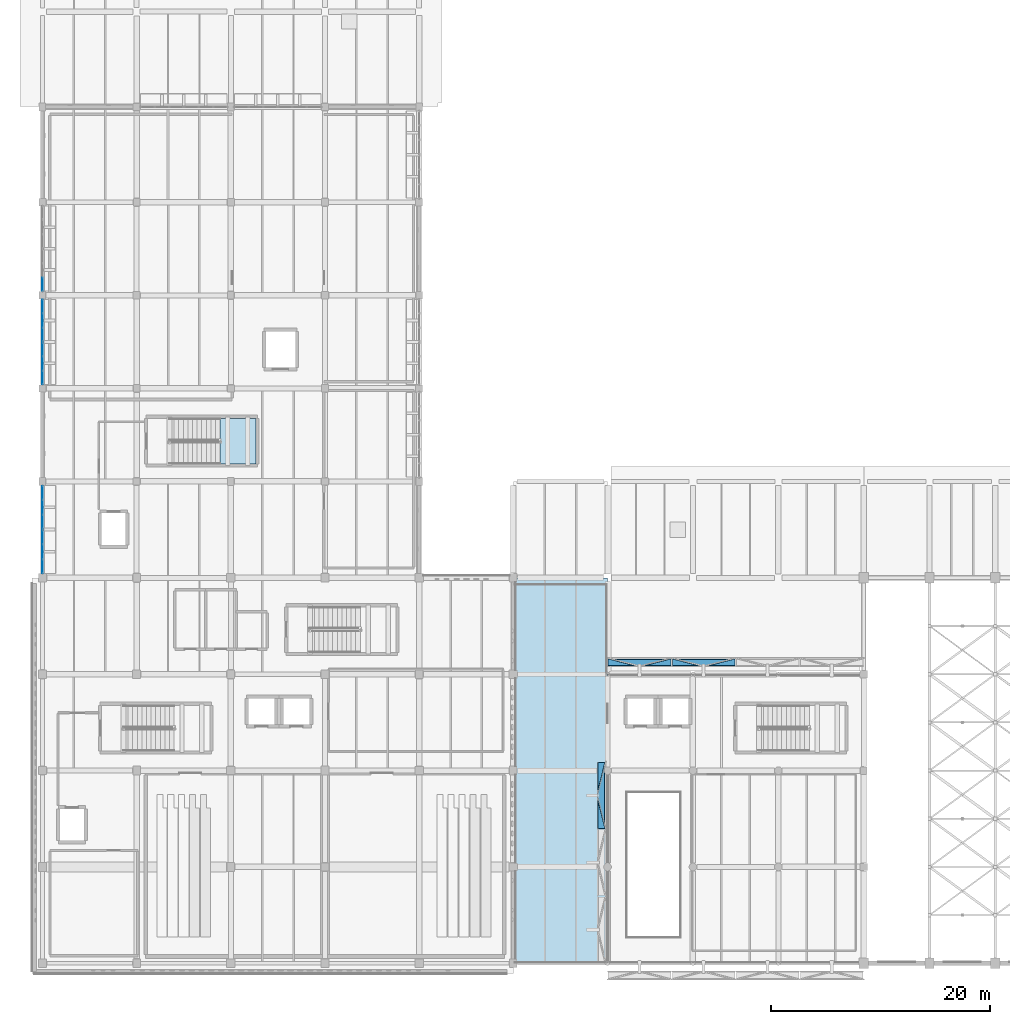
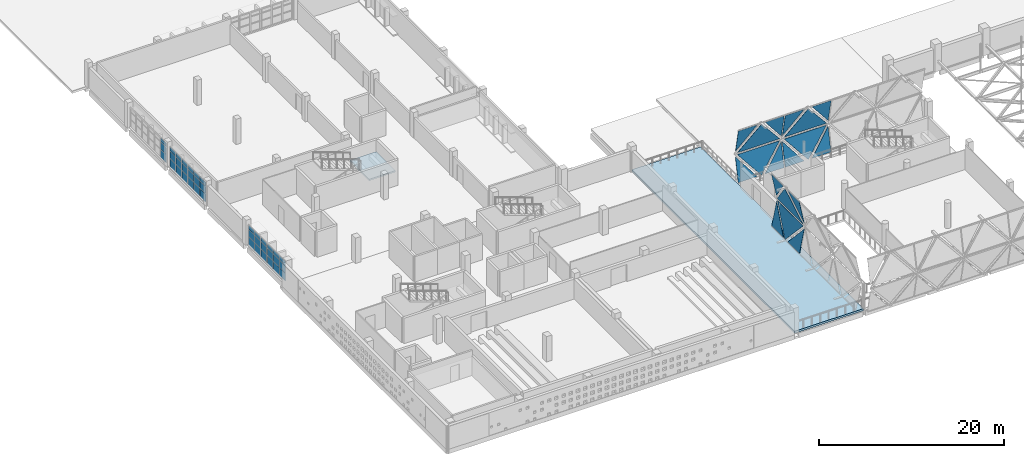
# One storey, part 67 of 93: 57 plates, 2 slabs, 9 elements without a shape of their own.
"""IFC4 building model written with IfcOpenShell, lengths in metres."""

from ifc_helpers import new_model, si_unit, direction, frame, origin, origin_2d, place, context, subcontext, project, spatial, polyline, rectangle, outline, extrude, material, layer, layer_set, type_object, element, aggregate, save


model = new_model("IFC4")

# Units and contexts
model_context = context("Model", 3, precision=1e-05, world=origin(), true_north=direction((0.0, 1.0)))
body_context = subcontext(model_context, "Body", "Model", "MODEL_VIEW")
ifc_project = project(units=[si_unit("LENGTHUNIT", "METRE"), si_unit("AREAUNIT", "SQUARE_METRE"), si_unit("VOLUMEUNIT", "CUBIC_METRE"), si_unit("PLANEANGLEUNIT", "RADIAN"), si_unit("MASSUNIT", "GRAM", prefix="KILO")], contexts=[model_context])

# Site, building, storey
site_placement = place(None, origin())
site = spatial("IfcSite", under=ifc_project, at=site_placement, CompositionType="ELEMENT")
building_placement = place(site_placement, origin())
building = spatial("IfcBuilding", under=site, at=building_placement, Name="Varnakota Cinema and Media Centre", CompositionType="ELEMENT")
storey_placement = place(building_placement, frame((0.0, 0.0, 12.0)))
storey = spatial("IfcBuildingStorey", under=building, at=storey_placement, Name="L03", CompositionType="ELEMENT", Elevation=12.0)

# Curtain wall, plates
ifc_material_1 = material(Name="Anodised golden-bronze aluminium AW-6063", Category="aluminium")
curtain_wall_type_1 = type_object("IfcCurtainWallType", Name="CW-DMD-585x705", PredefinedType="USERDEFINED", material=ifc_material_1)
curtain_wall_1_placement = place(storey_placement, origin())
curtain_wall_1 = element("IfcCurtainWall", 1, at=curtain_wall_1_placement, inside=storey, type_object=curtain_wall_type_1, Name="L03 folded diamond foyer curtain wall CW-V6DMD-N-T2-D01", ObjectType="DIAMOND FOLDED CURTAIN WALL", PredefinedType="USERDEFINED")
ifc_material_2 = material(Name="Laminated solar-control double glazing", Category="glass")
ifc_layer_1 = layer(ifc_material_2, 0.028076171875)
ifc_layer_set_1 = layer_set([ifc_layer_1], Name="Laminated solar-control double glazing")
plate_type_1 = type_object("IfcPlateType", Name="CWP-DGU-28", PredefinedType="CURTAIN_PANEL", material=ifc_layer_set_1)
plate_1_placement = place(storey_placement, frame((51.8798828125, 27.76513671875, 3.385009765625), z_axis=(0.0, -0.979928851946, 0.199347548575), x_axis=(0.624083687907, -0.155761703166, -0.765674762752)))
plate_1 = element("IfcPlate", 2, at=plate_1_placement, type_object=plate_type_1, Name="CW-V6DMD-N-T2-D01 lower diamond fitted glass facet", PredefinedType="CURTAIN_PANEL", context=body_context, shape_type="SweptSolid", body=[
    extrude(outline(polyline([(0.0, 0.0), (4.238244938145499, -4.440892098500626e-16), (3.3014270872958185, 4.133411722783652), (0.0, 0.0)])), origin(), (0.0, 0.0, -1.0), 0.02392578125),
])
plate_2_placement = place(storey_placement, frame((51.8798828125, 27.76513671875, 3.6650390625), z_axis=(0.0, 0.97992592191, 0.199361951158), x_axis=(1.0, 0.0, 0.0)))
plate_2 = element("IfcPlate", 3, at=plate_2_placement, type_object=plate_type_1, Name="CW-V6DMD-N-T2-D01 upper diamond fitted glass facet", PredefinedType="CURTAIN_PANEL", context=body_context, shape_type="SweptSolid", body=[
    extrude(outline(polyline([(0.0, 0.0), (5.2900390625, 0.0), (2.64501953125, -3.311345250007904), (0.0, 0.0)])), origin(), (0.0, 0.0, -1.0), 0.02392578125),
])

curtain_wall_2_placement = place(storey_placement, origin())
curtain_wall_2 = element("IfcCurtainWall", 4, at=curtain_wall_2_placement, inside=storey, type_object=curtain_wall_type_1, Name="L03 folded diamond foyer curtain wall CW-V6DMD-N-T2-D02", ObjectType="DIAMOND FOLDED CURTAIN WALL", PredefinedType="USERDEFINED")
plate_3_placement = place(storey_placement, frame((57.72998046875, 27.76513671875, 3.385009765625), z_axis=(0.0, -0.979928851946, 0.199347548575), x_axis=(0.624083687907, -0.155761703166, -0.765674762752)))
plate_3 = element("IfcPlate", 5, at=plate_3_placement, type_object=plate_type_1, Name="CW-V6DMD-N-T2-D02 lower diamond fitted glass facet", PredefinedType="CURTAIN_PANEL", context=body_context, shape_type="SweptSolid", body=[
    extrude(outline(polyline([(0.0, 0.0), (4.238244938145499, -4.440892098500626e-16), (3.3014270872958185, 4.133411722783652), (0.0, 0.0)])), origin(), (0.0, 0.0, -1.0), 0.02392578125),
])
plate_4_placement = place(storey_placement, frame((57.72998046875, 27.76513671875, 3.6650390625), z_axis=(0.0, 0.97992592191, 0.199361951158), x_axis=(1.0, 0.0, 0.0)))
plate_4 = element("IfcPlate", 6, at=plate_4_placement, type_object=plate_type_1, Name="CW-V6DMD-N-T2-D02 upper diamond fitted glass facet", PredefinedType="CURTAIN_PANEL", context=body_context, shape_type="SweptSolid", body=[
    extrude(outline(polyline([(0.0, 0.0), (5.2900390625, 0.0), (2.64501953125, -3.311345250007904), (0.0, 0.0)])), origin(), (0.0, 0.0, -1.0), 0.02392578125),
])

ifc_material_3 = material(Name="Anodised golden-bronze aluminium AW-6063", Category="aluminium")
curtain_wall_type_2 = type_object("IfcCurtainWallType", Name="CW-DMD-613x705", PredefinedType="USERDEFINED", material=ifc_material_3)
curtain_wall_3_placement = place(storey_placement, origin())
curtain_wall_3 = element("IfcCurtainWall", 7, at=curtain_wall_3_placement, inside=storey, type_object=curtain_wall_type_2, Name="L03 folded diamond foyer curtain wall CW-V6DMD-W-T2-D01", ObjectType="DIAMOND FOLDED CURTAIN WALL", PredefinedType="USERDEFINED")
plate_5_placement = place(storey_placement, frame((51.315185546875, 18.1201171875, 3.385009765625), z_axis=(-0.979928851946, 0.0, 0.199347548575), x_axis=(-0.152524862562, -0.643887317363, -0.749763488601)))
plate_5 = element("IfcPlate", 8, at=plate_5_placement, type_object=plate_type_1, Name="CW-V6DMD-W-T2-D01 lower diamond fitted glass facet", PredefinedType="CURTAIN_PANEL", context=body_context, shape_type="SweptSolid", body=[
    extrude(outline(polyline([(0.0, 0.0), (4.328187804334512, 0.0), (3.5886971601742164, 4.264387710135396), (0.0, 0.0)])), origin(), (0.0, 0.0, -1.0), 0.02392578125),
])
plate_6_placement = place(storey_placement, frame((51.315185546875, 18.1201171875, 3.6650390625), z_axis=(0.97992592191, 0.0, 0.199361951158), x_axis=(0.0, -1.0, 0.0)))
plate_6 = element("IfcPlate", 9, at=plate_6_placement, type_object=plate_type_1, Name="CW-V6DMD-W-T2-D01 upper diamond fitted glass facet", PredefinedType="CURTAIN_PANEL", context=body_context, shape_type="SweptSolid", body=[
    extrude(outline(polyline([(0.0, 0.0), (5.573486328125, 0.0), (2.786865234375, -3.311345250007904), (0.0, 0.0)])), origin(), (0.0, 0.0, -1.0), 0.02392578125),
])

ifc_material_4 = material(Name="Thermally broken anodised aluminium AW-6063", Category="aluminium")
curtain_wall_type_3 = type_object("IfcCurtainWallType", Name="CW-STD-389x274", PredefinedType="USERDEFINED", material=ifc_material_4)
curtain_wall_4_placement = place(storey_placement, origin())
curtain_wall_4 = element("IfcCurtainWall", 10, at=curtain_wall_4_placement, inside=storey, type_object=curtain_wall_type_3, Name="L03 curtain wall CW-L03-V5-W-02-2", ObjectType="UNITISED CURTAIN WALL", PredefinedType="USERDEFINED")
plate_7_placement = place(storey_placement, frame((0.0, 62.014892578125, 0.06494140625), z_axis=(0.0, 0.0, 1.0), x_axis=(0.0, -1.0, 0.0)))
plate_7 = element("IfcPlate", 11, at=plate_7_placement, type_object=plate_type_1, Name="CW46 panel 3.1", PredefinedType="CURTAIN_PANEL", context=body_context, shape_type="SweptSolid", body=[
    extrude(rectangle(XDim=1.199951171875, YDim=0.028076171875, at=origin_2d()), origin(), (0.0, 0.0, 1.0), 1.05126953125),
])
plate_8_placement = place(storey_placement, frame((0.0, 62.014892578125, 1.18115234375), z_axis=(0.0, 0.0, 1.0), x_axis=(0.0, -1.0, 0.0)))
plate_8 = element("IfcPlate", 12, at=plate_8_placement, type_object=plate_type_1, Name="CW46 panel 3.2", PredefinedType="CURTAIN_PANEL", context=body_context, shape_type="SweptSolid", body=[
    extrude(rectangle(XDim=1.199951171875, YDim=0.028076171875, at=origin_2d()), origin(), (0.0, 0.0, 1.0), 0.919677734375),
])
plate_9_placement = place(storey_placement, frame((0.0, 62.014892578125, 2.166015625), z_axis=(0.0, 0.0, 1.0), x_axis=(0.0, -1.0, 0.0)))
plate_9 = element("IfcPlate", 13, at=plate_9_placement, type_object=plate_type_1, Name="CW46 panel 3.3", PredefinedType="CURTAIN_PANEL", context=body_context, shape_type="SweptSolid", body=[
    extrude(rectangle(XDim=1.199951171875, YDim=0.028076171875, at=origin_2d()), origin(), (0.0, 0.0, 1.0), 0.504150390625),
])
aggregate(curtain_wall_4, [plate_7, plate_8, plate_9])

curtain_wall_5_placement = place(storey_placement, origin())
curtain_wall_5 = element("IfcCurtainWall", 14, at=curtain_wall_5_placement, inside=storey, type_object=curtain_wall_type_3, Name="L03 curtain wall CW-L03-V5-W-03-1", ObjectType="UNITISED CURTAIN WALL", PredefinedType="USERDEFINED")
plate_10_placement = place(storey_placement, frame((0.0, 59.985107421875, 0.06494140625), z_axis=(0.0, 0.0, 1.0), x_axis=(0.0, -1.0, 0.0)))
plate_10 = element("IfcPlate", 15, at=plate_10_placement, type_object=plate_type_1, Name="CW46 panel 1.1", PredefinedType="CURTAIN_PANEL", context=body_context, shape_type="SweptSolid", body=[
    extrude(rectangle(XDim=1.199951171875, YDim=0.028076171875, at=origin_2d()), origin(), (0.0, 0.0, 1.0), 1.05126953125),
])
plate_11_placement = place(storey_placement, frame((0.0, 59.985107421875, 1.18115234375), z_axis=(0.0, 0.0, 1.0), x_axis=(0.0, -1.0, 0.0)))
plate_11 = element("IfcPlate", 16, at=plate_11_placement, type_object=plate_type_1, Name="CW46 panel 1.2", PredefinedType="CURTAIN_PANEL", context=body_context, shape_type="SweptSolid", body=[
    extrude(rectangle(XDim=1.199951171875, YDim=0.028076171875, at=origin_2d()), origin(), (0.0, 0.0, 1.0), 0.919677734375),
])
plate_12_placement = place(storey_placement, frame((0.0, 59.985107421875, 2.166015625), z_axis=(0.0, 0.0, 1.0), x_axis=(0.0, -1.0, 0.0)))
plate_12 = element("IfcPlate", 17, at=plate_12_placement, type_object=plate_type_1, Name="CW46 panel 1.3", PredefinedType="CURTAIN_PANEL", context=body_context, shape_type="SweptSolid", body=[
    extrude(rectangle(XDim=1.199951171875, YDim=0.028076171875, at=origin_2d()), origin(), (0.0, 0.0, 1.0), 0.504150390625),
])
plate_13_placement = place(storey_placement, frame((0.0, 58.703857421875, 0.06494140625), z_axis=(0.0, 0.0, 1.0), x_axis=(0.0, -1.0, 0.0)))
plate_13 = element("IfcPlate", 18, at=plate_13_placement, type_object=plate_type_1, Name="CW46 panel 2.1", PredefinedType="CURTAIN_PANEL", context=body_context, shape_type="SweptSolid", body=[
    extrude(rectangle(XDim=1.232421875, YDim=0.028076171875, at=origin_2d()), origin(), (0.0, 0.0, 1.0), 1.05126953125),
])
plate_14_placement = place(storey_placement, frame((0.0, 58.703857421875, 1.18115234375), z_axis=(0.0, 0.0, 1.0), x_axis=(0.0, -1.0, 0.0)))
plate_14 = element("IfcPlate", 19, at=plate_14_placement, type_object=plate_type_1, Name="CW46 panel 2.2", PredefinedType="CURTAIN_PANEL", context=body_context, shape_type="SweptSolid", body=[
    extrude(rectangle(XDim=1.232421875, YDim=0.028076171875, at=origin_2d()), origin(), (0.0, 0.0, 1.0), 0.919677734375),
])
plate_15_placement = place(storey_placement, frame((0.0, 58.703857421875, 2.166015625), z_axis=(0.0, 0.0, 1.0), x_axis=(0.0, -1.0, 0.0)))
plate_15 = element("IfcPlate", 20, at=plate_15_placement, type_object=plate_type_1, Name="CW46 panel 2.3", PredefinedType="CURTAIN_PANEL", context=body_context, shape_type="SweptSolid", body=[
    extrude(rectangle(XDim=1.232421875, YDim=0.028076171875, at=origin_2d()), origin(), (0.0, 0.0, 1.0), 0.504150390625),
])
plate_16_placement = place(storey_placement, frame((0.0, 57.422607421875, 0.06494140625), z_axis=(0.0, 0.0, 1.0), x_axis=(0.0, -1.0, 0.0)))
plate_16 = element("IfcPlate", 21, at=plate_16_placement, type_object=plate_type_1, Name="CW46 panel 3.1", PredefinedType="CURTAIN_PANEL", context=body_context, shape_type="SweptSolid", body=[
    extrude(rectangle(XDim=1.199951171875, YDim=0.028076171875, at=origin_2d()), origin(), (0.0, 0.0, 1.0), 1.05126953125),
])
plate_17_placement = place(storey_placement, frame((0.0, 57.422607421875, 1.18115234375), z_axis=(0.0, 0.0, 1.0), x_axis=(0.0, -1.0, 0.0)))
plate_17 = element("IfcPlate", 22, at=plate_17_placement, type_object=plate_type_1, Name="CW46 panel 3.2", PredefinedType="CURTAIN_PANEL", context=body_context, shape_type="SweptSolid", body=[
    extrude(rectangle(XDim=1.199951171875, YDim=0.028076171875, at=origin_2d()), origin(), (0.0, 0.0, 1.0), 0.919677734375),
])
plate_18_placement = place(storey_placement, frame((0.0, 57.422607421875, 2.166015625), z_axis=(0.0, 0.0, 1.0), x_axis=(0.0, -1.0, 0.0)))
plate_18 = element("IfcPlate", 23, at=plate_18_placement, type_object=plate_type_1, Name="CW46 panel 3.3", PredefinedType="CURTAIN_PANEL", context=body_context, shape_type="SweptSolid", body=[
    extrude(rectangle(XDim=1.199951171875, YDim=0.028076171875, at=origin_2d()), origin(), (0.0, 0.0, 1.0), 0.504150390625),
])
aggregate(curtain_wall_5, [plate_10, plate_11, plate_12, plate_13, plate_14, plate_15, plate_16, plate_17, plate_18])

curtain_wall_6_placement = place(storey_placement, origin())
curtain_wall_6 = element("IfcCurtainWall", 24, at=curtain_wall_6_placement, inside=storey, type_object=curtain_wall_type_3, Name="L03 curtain wall CW-L03-V5-W-03-2", ObjectType="UNITISED CURTAIN WALL", PredefinedType="USERDEFINED")
plate_19_placement = place(storey_placement, frame((0.0, 56.052490234375, 0.06494140625), z_axis=(0.0, 0.0, 1.0), x_axis=(0.0, -1.0, 0.0)))
plate_19 = element("IfcPlate", 25, at=plate_19_placement, type_object=plate_type_1, Name="CW46 panel 1.1", PredefinedType="CURTAIN_PANEL", context=body_context, shape_type="SweptSolid", body=[
    extrude(rectangle(XDim=1.199951171875, YDim=0.028076171875, at=origin_2d()), origin(), (0.0, 0.0, 1.0), 1.05126953125),
])
plate_20_placement = place(storey_placement, frame((0.0, 56.052490234375, 1.18115234375), z_axis=(0.0, 0.0, 1.0), x_axis=(0.0, -1.0, 0.0)))
plate_20 = element("IfcPlate", 26, at=plate_20_placement, type_object=plate_type_1, Name="CW46 panel 1.2", PredefinedType="CURTAIN_PANEL", context=body_context, shape_type="SweptSolid", body=[
    extrude(rectangle(XDim=1.199951171875, YDim=0.028076171875, at=origin_2d()), origin(), (0.0, 0.0, 1.0), 0.919677734375),
])
plate_21_placement = place(storey_placement, frame((0.0, 56.052490234375, 2.166015625), z_axis=(0.0, 0.0, 1.0), x_axis=(0.0, -1.0, 0.0)))
plate_21 = element("IfcPlate", 27, at=plate_21_placement, type_object=plate_type_1, Name="CW46 panel 1.3", PredefinedType="CURTAIN_PANEL", context=body_context, shape_type="SweptSolid", body=[
    extrude(rectangle(XDim=1.199951171875, YDim=0.028076171875, at=origin_2d()), origin(), (0.0, 0.0, 1.0), 0.504150390625),
])
plate_22_placement = place(storey_placement, frame((0.0, 54.771240234375, 0.06494140625), z_axis=(0.0, 0.0, 1.0), x_axis=(0.0, -1.0, 0.0)))
plate_22 = element("IfcPlate", 28, at=plate_22_placement, type_object=plate_type_1, Name="CW46 panel 2.1", PredefinedType="CURTAIN_PANEL", context=body_context, shape_type="SweptSolid", body=[
    extrude(rectangle(XDim=1.232421875, YDim=0.028076171875, at=origin_2d()), origin(), (0.0, 0.0, 1.0), 1.05126953125),
])
plate_23_placement = place(storey_placement, frame((0.0, 54.771240234375, 1.18115234375), z_axis=(0.0, 0.0, 1.0), x_axis=(0.0, -1.0, 0.0)))
plate_23 = element("IfcPlate", 29, at=plate_23_placement, type_object=plate_type_1, Name="CW46 panel 2.2", PredefinedType="CURTAIN_PANEL", context=body_context, shape_type="SweptSolid", body=[
    extrude(rectangle(XDim=1.232421875, YDim=0.028076171875, at=origin_2d()), origin(), (0.0, 0.0, 1.0), 0.919677734375),
])
plate_24_placement = place(storey_placement, frame((0.0, 54.771240234375, 2.166015625), z_axis=(0.0, 0.0, 1.0), x_axis=(0.0, -1.0, 0.0)))
plate_24 = element("IfcPlate", 30, at=plate_24_placement, type_object=plate_type_1, Name="CW46 panel 2.3", PredefinedType="CURTAIN_PANEL", context=body_context, shape_type="SweptSolid", body=[
    extrude(rectangle(XDim=1.232421875, YDim=0.028076171875, at=origin_2d()), origin(), (0.0, 0.0, 1.0), 0.504150390625),
])
plate_25_placement = place(storey_placement, frame((0.0, 53.489990234375, 0.06494140625), z_axis=(0.0, 0.0, 1.0), x_axis=(0.0, -1.0, 0.0)))
plate_25 = element("IfcPlate", 31, at=plate_25_placement, type_object=plate_type_1, Name="CW46 panel 3.1", PredefinedType="CURTAIN_PANEL", context=body_context, shape_type="SweptSolid", body=[
    extrude(rectangle(XDim=1.199951171875, YDim=0.028076171875, at=origin_2d()), origin(), (0.0, 0.0, 1.0), 1.05126953125),
])
plate_26_placement = place(storey_placement, frame((0.0, 53.489990234375, 1.18115234375), z_axis=(0.0, 0.0, 1.0), x_axis=(0.0, -1.0, 0.0)))
plate_26 = element("IfcPlate", 32, at=plate_26_placement, type_object=plate_type_1, Name="CW46 panel 3.2", PredefinedType="CURTAIN_PANEL", context=body_context, shape_type="SweptSolid", body=[
    extrude(rectangle(XDim=1.199951171875, YDim=0.028076171875, at=origin_2d()), origin(), (0.0, 0.0, 1.0), 0.919677734375),
])
plate_27_placement = place(storey_placement, frame((0.0, 53.489990234375, 2.166015625), z_axis=(0.0, 0.0, 1.0), x_axis=(0.0, -1.0, 0.0)))
plate_27 = element("IfcPlate", 33, at=plate_27_placement, type_object=plate_type_1, Name="CW46 panel 3.3", PredefinedType="CURTAIN_PANEL", context=body_context, shape_type="SweptSolid", body=[
    extrude(rectangle(XDim=1.199951171875, YDim=0.028076171875, at=origin_2d()), origin(), (0.0, 0.0, 1.0), 0.504150390625),
])
aggregate(curtain_wall_6, [plate_19, plate_20, plate_21, plate_22, plate_23, plate_24, plate_25, plate_26, plate_27])

ifc_material_5 = material(Name="Thermally broken anodised aluminium AW-6063", Category="aluminium")
curtain_wall_type_4 = type_object("IfcCurtainWallType", Name="CW-STD-402x274", PredefinedType="USERDEFINED", material=ifc_material_5)
curtain_wall_7_placement = place(storey_placement, origin())
curtain_wall_7 = element("IfcCurtainWall", 34, at=curtain_wall_7_placement, inside=storey, type_object=curtain_wall_type_4, Name="L03 curtain wall CW-L03-V5-W-05-1", ObjectType="UNITISED CURTAIN WALL", PredefinedType="USERDEFINED")
plate_28_placement = place(storey_placement, frame((0.0, 42.964111328125, 0.06494140625), z_axis=(0.0, 0.0, 1.0), x_axis=(0.0, -1.0, 0.0)))
plate_28 = element("IfcPlate", 35, at=plate_28_placement, type_object=plate_type_1, Name="CW47 panel 1.1", PredefinedType="CURTAIN_PANEL", context=body_context, shape_type="SweptSolid", body=[
    extrude(rectangle(XDim=1.24169921875, YDim=0.028076171875, at=origin_2d()), origin(), (0.0, 0.0, 1.0), 1.05126953125),
])
plate_29_placement = place(storey_placement, frame((0.0, 42.964111328125, 1.18115234375), z_axis=(0.0, 0.0, 1.0), x_axis=(0.0, -1.0, 0.0)))
plate_29 = element("IfcPlate", 36, at=plate_29_placement, type_object=plate_type_1, Name="CW47 panel 1.2", PredefinedType="CURTAIN_PANEL", context=body_context, shape_type="SweptSolid", body=[
    extrude(rectangle(XDim=1.24169921875, YDim=0.028076171875, at=origin_2d()), origin(), (0.0, 0.0, 1.0), 0.919677734375),
])
plate_30_placement = place(storey_placement, frame((0.0, 42.964111328125, 2.166015625), z_axis=(0.0, 0.0, 1.0), x_axis=(0.0, -1.0, 0.0)))
plate_30 = element("IfcPlate", 37, at=plate_30_placement, type_object=plate_type_1, Name="CW47 panel 1.3", PredefinedType="CURTAIN_PANEL", context=body_context, shape_type="SweptSolid", body=[
    extrude(rectangle(XDim=1.24169921875, YDim=0.028076171875, at=origin_2d()), origin(), (0.0, 0.0, 1.0), 0.504150390625),
])
plate_31_placement = place(storey_placement, frame((0.0, 41.641357421875, 0.06494140625), z_axis=(0.0, 0.0, 1.0), x_axis=(0.0, -1.0, 0.0)))
plate_31 = element("IfcPlate", 38, at=plate_31_placement, type_object=plate_type_1, Name="CW47 panel 2.1", PredefinedType="CURTAIN_PANEL", context=body_context, shape_type="SweptSolid", body=[
    extrude(rectangle(XDim=1.274169921875, YDim=0.028076171875, at=origin_2d()), origin(), (0.0, 0.0, 1.0), 1.05126953125),
])
plate_32_placement = place(storey_placement, frame((0.0, 41.641357421875, 1.18115234375), z_axis=(0.0, 0.0, 1.0), x_axis=(0.0, -1.0, 0.0)))
plate_32 = element("IfcPlate", 39, at=plate_32_placement, type_object=plate_type_1, Name="CW47 panel 2.2", PredefinedType="CURTAIN_PANEL", context=body_context, shape_type="SweptSolid", body=[
    extrude(rectangle(XDim=1.274169921875, YDim=0.028076171875, at=origin_2d()), origin(), (0.0, 0.0, 1.0), 0.919677734375),
])
plate_33_placement = place(storey_placement, frame((0.0, 41.641357421875, 2.166015625), z_axis=(0.0, 0.0, 1.0), x_axis=(0.0, -1.0, 0.0)))
plate_33 = element("IfcPlate", 40, at=plate_33_placement, type_object=plate_type_1, Name="CW47 panel 2.3", PredefinedType="CURTAIN_PANEL", context=body_context, shape_type="SweptSolid", body=[
    extrude(rectangle(XDim=1.274169921875, YDim=0.028076171875, at=origin_2d()), origin(), (0.0, 0.0, 1.0), 0.504150390625),
])
plate_34_placement = place(storey_placement, frame((0.0, 40.318359375, 0.06494140625), z_axis=(0.0, 0.0, 1.0), x_axis=(0.0, -1.0, 0.0)))
plate_34 = element("IfcPlate", 41, at=plate_34_placement, type_object=plate_type_1, Name="CW47 panel 3.1", PredefinedType="CURTAIN_PANEL", context=body_context, shape_type="SweptSolid", body=[
    extrude(rectangle(XDim=1.24169921875, YDim=0.028076171875, at=origin_2d()), origin(), (0.0, 0.0, 1.0), 1.05126953125),
])
plate_35_placement = place(storey_placement, frame((0.0, 40.318359375, 1.18115234375), z_axis=(0.0, 0.0, 1.0), x_axis=(0.0, -1.0, 0.0)))
plate_35 = element("IfcPlate", 42, at=plate_35_placement, type_object=plate_type_1, Name="CW47 panel 3.2", PredefinedType="CURTAIN_PANEL", context=body_context, shape_type="SweptSolid", body=[
    extrude(rectangle(XDim=1.24169921875, YDim=0.028076171875, at=origin_2d()), origin(), (0.0, 0.0, 1.0), 0.919677734375),
])
plate_36_placement = place(storey_placement, frame((0.0, 40.318359375, 2.166015625), z_axis=(0.0, 0.0, 1.0), x_axis=(0.0, -1.0, 0.0)))
plate_36 = element("IfcPlate", 43, at=plate_36_placement, type_object=plate_type_1, Name="CW47 panel 3.3", PredefinedType="CURTAIN_PANEL", context=body_context, shape_type="SweptSolid", body=[
    extrude(rectangle(XDim=1.24169921875, YDim=0.028076171875, at=origin_2d()), origin(), (0.0, 0.0, 1.0), 0.504150390625),
])
aggregate(curtain_wall_7, [plate_28, plate_29, plate_30, plate_31, plate_32, plate_33, plate_34, plate_35, plate_36])

curtain_wall_8_placement = place(storey_placement, origin())
curtain_wall_8 = element("IfcCurtainWall", 44, at=curtain_wall_8_placement, inside=storey, type_object=curtain_wall_type_4, Name="L03 curtain wall CW-L03-V5-W-05-2", ObjectType="UNITISED CURTAIN WALL", PredefinedType="USERDEFINED")
plate_37_placement = place(storey_placement, frame((0.0, 38.90673828125, 0.06494140625), z_axis=(0.0, 0.0, 1.0), x_axis=(0.0, -1.0, 0.0)))
plate_37 = element("IfcPlate", 45, at=plate_37_placement, type_object=plate_type_1, Name="CW47 panel 1.1", PredefinedType="CURTAIN_PANEL", context=body_context, shape_type="SweptSolid", body=[
    extrude(rectangle(XDim=1.24169921875, YDim=0.028076171875, at=origin_2d()), origin(), (0.0, 0.0, 1.0), 1.05126953125),
])
plate_38_placement = place(storey_placement, frame((0.0, 38.90673828125, 1.18115234375), z_axis=(0.0, 0.0, 1.0), x_axis=(0.0, -1.0, 0.0)))
plate_38 = element("IfcPlate", 46, at=plate_38_placement, type_object=plate_type_1, Name="CW47 panel 1.2", PredefinedType="CURTAIN_PANEL", context=body_context, shape_type="SweptSolid", body=[
    extrude(rectangle(XDim=1.24169921875, YDim=0.028076171875, at=origin_2d()), origin(), (0.0, 0.0, 1.0), 0.919677734375),
])
plate_39_placement = place(storey_placement, frame((0.0, 38.90673828125, 2.166015625), z_axis=(0.0, 0.0, 1.0), x_axis=(0.0, -1.0, 0.0)))
plate_39 = element("IfcPlate", 47, at=plate_39_placement, type_object=plate_type_1, Name="CW47 panel 1.3", PredefinedType="CURTAIN_PANEL", context=body_context, shape_type="SweptSolid", body=[
    extrude(rectangle(XDim=1.24169921875, YDim=0.028076171875, at=origin_2d()), origin(), (0.0, 0.0, 1.0), 0.504150390625),
])
plate_40_placement = place(storey_placement, frame((0.0, 37.583740234375, 0.06494140625), z_axis=(0.0, 0.0, 1.0), x_axis=(0.0, -1.0, 0.0)))
plate_40 = element("IfcPlate", 48, at=plate_40_placement, type_object=plate_type_1, Name="CW47 panel 2.1", PredefinedType="CURTAIN_PANEL", context=body_context, shape_type="SweptSolid", body=[
    extrude(rectangle(XDim=1.274169921875, YDim=0.028076171875, at=origin_2d()), origin(), (0.0, 0.0, 1.0), 1.05126953125),
])
plate_41_placement = place(storey_placement, frame((0.0, 37.583740234375, 1.18115234375), z_axis=(0.0, 0.0, 1.0), x_axis=(0.0, -1.0, 0.0)))
plate_41 = element("IfcPlate", 49, at=plate_41_placement, type_object=plate_type_1, Name="CW47 panel 2.2", PredefinedType="CURTAIN_PANEL", context=body_context, shape_type="SweptSolid", body=[
    extrude(rectangle(XDim=1.274169921875, YDim=0.028076171875, at=origin_2d()), origin(), (0.0, 0.0, 1.0), 0.919677734375),
])
plate_42_placement = place(storey_placement, frame((0.0, 37.583740234375, 2.166015625), z_axis=(0.0, 0.0, 1.0), x_axis=(0.0, -1.0, 0.0)))
plate_42 = element("IfcPlate", 50, at=plate_42_placement, type_object=plate_type_1, Name="CW47 panel 2.3", PredefinedType="CURTAIN_PANEL", context=body_context, shape_type="SweptSolid", body=[
    extrude(rectangle(XDim=1.274169921875, YDim=0.028076171875, at=origin_2d()), origin(), (0.0, 0.0, 1.0), 0.504150390625),
])
plate_43_placement = place(storey_placement, frame((0.0, 36.2607421875, 0.06494140625), z_axis=(0.0, 0.0, 1.0), x_axis=(0.0, -1.0, 0.0)))
plate_43 = element("IfcPlate", 51, at=plate_43_placement, type_object=plate_type_1, Name="CW47 panel 3.1", PredefinedType="CURTAIN_PANEL", context=body_context, shape_type="SweptSolid", body=[
    extrude(rectangle(XDim=1.24169921875, YDim=0.028076171875, at=origin_2d()), origin(), (0.0, 0.0, 1.0), 1.05126953125),
])
plate_44_placement = place(storey_placement, frame((0.0, 36.2607421875, 1.18115234375), z_axis=(0.0, 0.0, 1.0), x_axis=(0.0, -1.0, 0.0)))
plate_44 = element("IfcPlate", 52, at=plate_44_placement, type_object=plate_type_1, Name="CW47 panel 3.2", PredefinedType="CURTAIN_PANEL", context=body_context, shape_type="SweptSolid", body=[
    extrude(rectangle(XDim=1.24169921875, YDim=0.028076171875, at=origin_2d()), origin(), (0.0, 0.0, 1.0), 0.919677734375),
])
plate_45_placement = place(storey_placement, frame((0.0, 36.2607421875, 2.166015625), z_axis=(0.0, 0.0, 1.0), x_axis=(0.0, -1.0, 0.0)))
plate_45 = element("IfcPlate", 53, at=plate_45_placement, type_object=plate_type_1, Name="CW47 panel 3.3", PredefinedType="CURTAIN_PANEL", context=body_context, shape_type="SweptSolid", body=[
    extrude(rectangle(XDim=1.24169921875, YDim=0.028076171875, at=origin_2d()), origin(), (0.0, 0.0, 1.0), 0.504150390625),
])
aggregate(curtain_wall_8, [plate_37, plate_38, plate_39, plate_40, plate_41, plate_42, plate_43, plate_44, plate_45])

# Plate
ifc_material_6 = material(Name="Anodised golden-bronze aluminium AW-6063", Category="aluminium")
ifc_layer_2 = layer(ifc_material_6, 0.035888671875)
ifc_layer_set_2 = layer_set([ifc_layer_2], Name="Anodised golden-bronze aluminium AW-6063")
plate_type_2 = type_object("IfcPlateType", Name="CWP-GOLD-36", PredefinedType="CURTAIN_PANEL", material=ifc_layer_set_2)
plate_46_placement = place(storey_placement, frame((51.659912109375, 27.177978515625, 0.10009765625), z_axis=(0.0, -0.979916370061, 0.199408895704), x_axis=(1.0, 0.0, 0.0)))
plate_46 = element("IfcPlate", 54, at=plate_46_placement, type_object=plate_type_2, Name="CW-V6DMD-N-T2-D01 golden metal folded diamond spandrel SP-BL", PredefinedType="CURTAIN_PANEL", context=body_context, shape_type="SweptSolid", body=[
    extrude(outline(polyline([(0.0, 0.0), (2.385009765625, 0.0), (0.0, 3.107328306811832), (0.0, 0.0)])), origin(), (0.0, 0.0, -1.0), 0.028076171875),
])

plate_47_placement = place(storey_placement, frame((55.0048828125, 27.177978515625, 0.10009765625), z_axis=(0.0, -0.979916370061, 0.199408895704), x_axis=(1.0, 0.0, 0.0)))
plate_47 = element("IfcPlate", 55, at=plate_47_placement, type_object=plate_type_2, Name="CW-V6DMD-N-T2-D01 golden metal folded diamond spandrel SP-BR", PredefinedType="CURTAIN_PANEL", context=body_context, shape_type="SweptSolid", body=[
    extrude(outline(polyline([(0.0, 0.0), (2.385009765625, 0.0), (2.385009765625, 3.107328306811832), (0.0, 0.0)])), origin(), (0.0, 0.0, -1.0), 0.028076171875),
])

plate_48_placement = place(storey_placement, frame((51.659912109375, 27.797607421875, 3.905029296875), z_axis=(0.0, 0.979916370061, 0.199408895704), x_axis=(0.60886954556, -0.158185168045, 0.777338619329)))
plate_48 = element("IfcPlate", 56, at=plate_48_placement, type_object=plate_type_2, Name="CW-V6DMD-N-T2-D01 golden metal folded diamond spandrel SP-TL", PredefinedType="CURTAIN_PANEL", context=body_context, shape_type="SweptSolid", body=[
    extrude(outline(polyline([(0.0, 0.0), (3.9171112810897655, 2.220446049250313e-16), (2.4649514689375556, -1.891957574074185), (0.0, 0.0)])), origin(), (0.0, 0.0, -1.0), 0.028076171875),
])

plate_49_placement = place(storey_placement, frame((57.389892578125, 27.797607421875, 3.905029296875), z_axis=(0.0, 0.979916370061, 0.199408895704), x_axis=(0.0, -0.199408895704, 0.979916370061)))
plate_49 = element("IfcPlate", 57, at=plate_49_placement, type_object=plate_type_2, Name="CW-V6DMD-N-T2-D01 golden metal folded diamond spandrel SP-TR", PredefinedType="CURTAIN_PANEL", context=body_context, shape_type="SweptSolid", body=[
    extrude(outline(polyline([(0.0, 0.0), (3.1073283068118323, 0.0), (3.1073283068118323, -2.3850097656250004), (0.0, 0.0)])), origin(), (0.0, 0.0, -1.0), 0.028076171875),
])

aggregate(curtain_wall_1, [plate_1, plate_2, plate_46, plate_47, plate_48, plate_49])

plate_50_placement = place(storey_placement, frame((57.510009765625, 27.177978515625, 0.10009765625), z_axis=(0.0, -0.979916370061, 0.199408895704), x_axis=(1.0, 0.0, 0.0)))
plate_50 = element("IfcPlate", 58, at=plate_50_placement, type_object=plate_type_2, Name="CW-V6DMD-N-T2-D02 golden metal folded diamond spandrel SP-BL", PredefinedType="CURTAIN_PANEL", context=body_context, shape_type="SweptSolid", body=[
    extrude(outline(polyline([(0.0, 0.0), (2.385009765625, 0.0), (0.0, 3.107328306811832), (0.0, 0.0)])), origin(), (0.0, 0.0, -1.0), 0.028076171875),
])

plate_51_placement = place(storey_placement, frame((60.85498046875, 27.177978515625, 0.10009765625), z_axis=(0.0, -0.979916370061, 0.199408895704), x_axis=(1.0, 0.0, 0.0)))
plate_51 = element("IfcPlate", 59, at=plate_51_placement, type_object=plate_type_2, Name="CW-V6DMD-N-T2-D02 golden metal folded diamond spandrel SP-BR", PredefinedType="CURTAIN_PANEL", context=body_context, shape_type="SweptSolid", body=[
    extrude(outline(polyline([(0.0, 0.0), (2.385009765625, 0.0), (2.385009765625, 3.107328306811832), (0.0, 0.0)])), origin(), (0.0, 0.0, -1.0), 0.028076171875),
])

plate_52_placement = place(storey_placement, frame((57.510009765625, 27.797607421875, 3.905029296875), z_axis=(0.0, 0.979916370061, 0.199408895704), x_axis=(0.60886954556, -0.158185168045, 0.777338619329)))
plate_52 = element("IfcPlate", 60, at=plate_52_placement, type_object=plate_type_2, Name="CW-V6DMD-N-T2-D02 golden metal folded diamond spandrel SP-TL", PredefinedType="CURTAIN_PANEL", context=body_context, shape_type="SweptSolid", body=[
    extrude(outline(polyline([(0.0, 0.0), (3.9171112810897655, 2.220446049250313e-16), (2.4649514689375556, -1.891957574074185), (0.0, 0.0)])), origin(), (0.0, 0.0, -1.0), 0.028076171875),
])

plate_53_placement = place(storey_placement, frame((63.239990234375, 27.797607421875, 3.905029296875), z_axis=(0.0, 0.979916370061, 0.199408895704), x_axis=(0.0, -0.199408895704, 0.979916370061)))
plate_53 = element("IfcPlate", 61, at=plate_53_placement, type_object=plate_type_2, Name="CW-V6DMD-N-T2-D02 golden metal folded diamond spandrel SP-TR", PredefinedType="CURTAIN_PANEL", context=body_context, shape_type="SweptSolid", body=[
    extrude(outline(polyline([(0.0, 0.0), (3.1073283068118323, 0.0), (3.1073283068118323, -2.3850097656250004), (0.0, 0.0)])), origin(), (0.0, 0.0, -1.0), 0.028076171875),
])

aggregate(curtain_wall_2, [plate_3, plate_4, plate_50, plate_51, plate_52, plate_53])

plate_54_placement = place(storey_placement, frame((50.72802734375, 18.340087890625, 0.10009765625), z_axis=(-0.979931720157, 0.0, 0.199333448849), x_axis=(0.0, -1.0, 0.0)))
plate_54 = element("IfcPlate", 62, at=plate_54_placement, type_object=plate_type_2, Name="CW-V6DMD-W-T2-D01 golden metal folded diamond spandrel SP-BL", PredefinedType="CURTAIN_PANEL", context=body_context, shape_type="SweptSolid", body=[
    extrude(outline(polyline([(0.0, 0.0), (2.52685546875, 0.0), (0.0, 3.1072796322091536), (0.0, 0.0)])), origin(), (0.0, 0.0, -1.0), 0.028076171875),
])

plate_55_placement = place(storey_placement, frame((50.72802734375, 14.853271484375, 0.10009765625), z_axis=(-0.979931720157, 0.0, 0.199333448849), x_axis=(0.0, -1.0, 0.0)))
plate_55 = element("IfcPlate", 63, at=plate_55_placement, type_object=plate_type_2, Name="CW-V6DMD-W-T2-D01 golden metal folded diamond spandrel SP-BR", PredefinedType="CURTAIN_PANEL", context=body_context, shape_type="SweptSolid", body=[
    extrude(outline(polyline([(0.0, 0.0), (2.526611328125, 0.0), (2.526611328125, 3.1072796322091536), (0.0, 0.0)])), origin(), (0.0, 0.0, -1.0), 0.028076171875),
])

plate_56_placement = place(storey_placement, frame((51.347412109375, 18.340087890625, 3.905029296875), z_axis=(0.979931720157, 0.0, 0.199333448849), x_axis=(-0.154652102668, -0.63092205858, 0.760276320253)))
plate_56 = element("IfcPlate", 64, at=plate_56_placement, type_object=plate_type_2, Name="CW-V6DMD-W-T2-D01 golden metal folded diamond spandrel SP-TL", PredefinedType="CURTAIN_PANEL", context=body_context, shape_type="SweptSolid", body=[
    extrude(outline(polyline([(0.0, 0.0), (4.005020009025378, -2.220446049250313e-16), (2.4107711549464756, -1.9604512621383603), (0.0, 0.0)])), origin(), (0.0, 0.0, -1.0), 0.028076171875),
])

plate_57_placement = place(storey_placement, frame((51.347412109375, 12.32666015625, 3.905029296875), z_axis=(0.979931720157, 0.0, 0.199333448849), x_axis=(-0.199333448849, 0.0, 0.979931720157)))
plate_57 = element("IfcPlate", 65, at=plate_57_placement, type_object=plate_type_2, Name="CW-V6DMD-W-T2-D01 golden metal folded diamond spandrel SP-TR", PredefinedType="CURTAIN_PANEL", context=body_context, shape_type="SweptSolid", body=[
    extrude(outline(polyline([(0.0, 0.0), (3.1072796322091536, 0.0), (3.1072796322091536, -2.526611328125), (0.0, 0.0)])), origin(), (0.0, 0.0, -1.0), 0.028076171875),
])

aggregate(curtain_wall_3, [plate_5, plate_6, plate_54, plate_55, plate_56, plate_57])

# Stair, slab
ifc_material_7 = material(Name="Concrete M35", Category="concrete")
stair_type = type_object("IfcStairType", Name="STR-CORE-ST-03-2000", PredefinedType="HALF_TURN_STAIR", material=ifc_material_7)
stair_placement = place(storey_placement, origin())
stair = element("IfcStair", 66, at=stair_placement, inside=storey, type_object=stair_type, Name="L03 Studio Firefighting Stair 3", PredefinedType="HALF_TURN_STAIR")
ifc_material_8 = material(Name="Concrete M35", Category="concrete")
ifc_layer_3 = layer(ifc_material_8, 0.199951171875)
ifc_layer_set_3 = layer_set([ifc_layer_3], Name="Concrete M35")
slab_type_1 = type_object("IfcSlabType", Name="SLB-LAND-ST-03", PredefinedType="LANDING", material=ifc_layer_set_3)
slab_1_placement = place(storey_placement, frame((0.0, 0.0, 1.60009765625)))
slab_1 = element("IfcSlab", 67, at=slab_1_placement, type_object=slab_type_1, Name="ST-03 landing 1", PredefinedType="LANDING", context=body_context, shape_type="SweptSolid", body=[
    extrude(outline(polyline([(16.219970703125, 45.60009765625), (19.47998046875, 45.60009765625), (19.47998046875, 49.75), (16.219970703125, 49.75), (16.219970703125, 45.60009765625)])), origin(), (0.0, 0.0, 1.0), 0.199951171875),
])
aggregate(stair, [slab_1])

# Slab
ifc_material_9 = material(Name="Concrete M35", Category="concrete")
ifc_layer_4 = layer(ifc_material_9, 0.219970703125)
ifc_layer_set_4 = layer_set([ifc_layer_4], Name="Concrete M35")
slab_type_2 = type_object("IfcSlabType", Name="SLB-TERR-220", PredefinedType="FLOOR", material=ifc_layer_set_4)
slab_2_placement = place(storey_placement, frame((0.0, 0.0, -0.260009765625)))
element("IfcSlab", 68, at=slab_2_placement, inside=storey, type_object=slab_type_2, Name="L03 Level 03 Foyer Sculpture Terrace", PredefinedType="FLOOR", context=body_context, shape_type="SweptSolid", body=[
    extrude(outline(polyline([(43.0, 0.0), (51.60009765625, 0.0), (51.60009765625, 35.199951171875), (43.0, 35.199951171875), (43.0, 0.0)])), origin(), (0.0, 0.0, 1.0), 0.260009765625),
])

save(model, "model.ifc")
